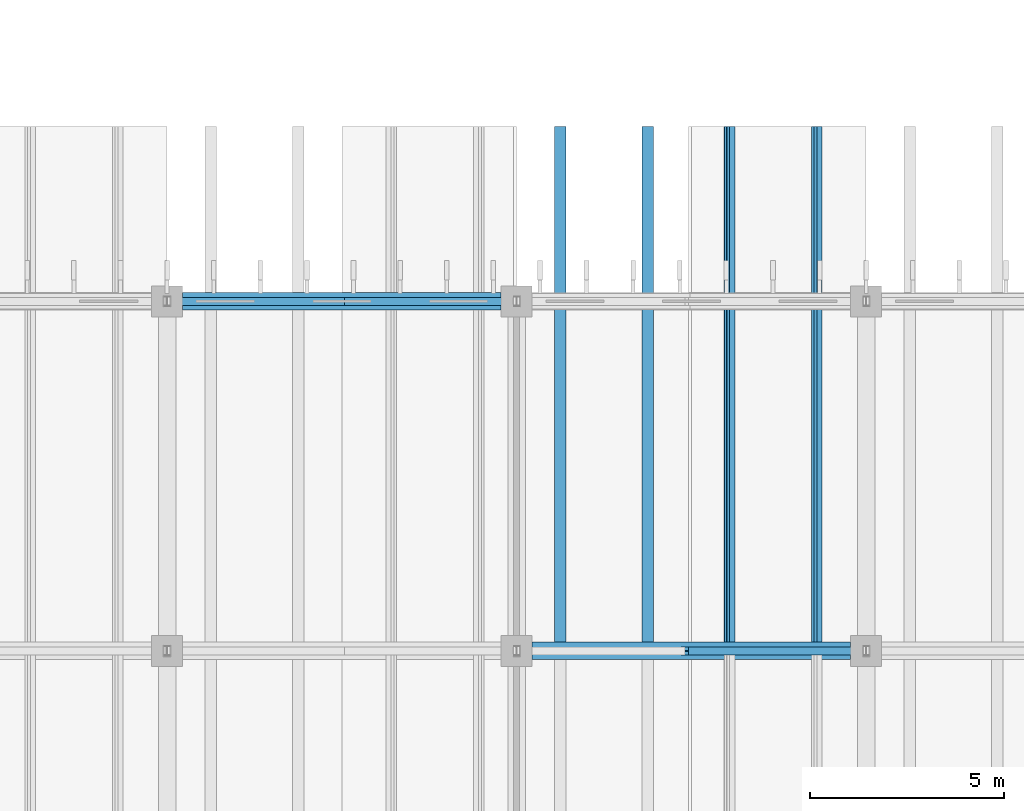
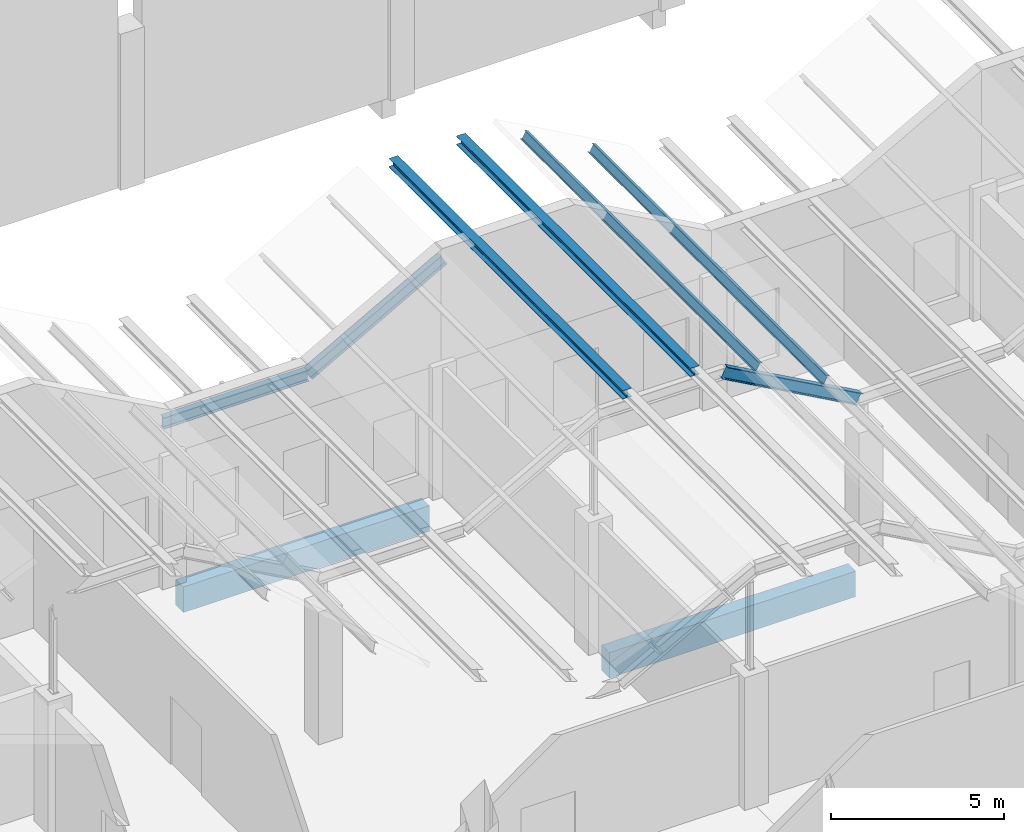
# One storey, part 66 of 437: 7 members, 2 beams.
"""IFC4 building model written with IfcOpenShell, lengths in metres."""

from ifc_helpers import new_model, si_unit, direction, frame, origin, origin_2d, place, context, subcontext, project, spatial, rectangle, i_section, extrude, material, material_profile, profile_set, type_object, element, save


model = new_model("IFC4")

# Units and contexts
model_context = context("Model", 3, precision=1e-05, world=origin(), true_north=direction((0.0, 1.0)))
body_context = subcontext(model_context, "Body", "Model", "MODEL_VIEW")
ifc_project = project(units=[si_unit("LENGTHUNIT", "METRE"), si_unit("AREAUNIT", "SQUARE_METRE"), si_unit("VOLUMEUNIT", "CUBIC_METRE"), si_unit("PLANEANGLEUNIT", "RADIAN"), si_unit("MASSUNIT", "GRAM", prefix="KILO")], contexts=[model_context])

# Site, building, storey
site_placement = place(None, origin())
site = spatial("IfcSite", under=ifc_project, at=site_placement, CompositionType="ELEMENT")
building_placement = place(site_placement, origin())
building = spatial("IfcBuilding", under=site, at=building_placement, Name="Opaline Strait Convention Centre", CompositionType="ELEMENT")
storey_placement = place(building_placement, frame((0.0, 0.0, 11.5)))
storey = spatial("IfcBuildingStorey", under=building, at=storey_placement, Name="L02", CompositionType="ELEMENT", Elevation=11.5)

# Members
ifc_material_1 = material(Name="Steel Q355B", Category="steel")
ifc_material_profile_1 = material_profile(ifc_material_1, i_section(OverallWidth=0.300048828125, OverallDepth=0.300048828125, WebThickness=0.010009765625, FlangeThickness=0.014892578125, FilletRadius=0.012939453125, at=origin_2d()), Name="HW 300x300x10x15")
ifc_profile_set_1 = profile_set([ifc_material_profile_1], Name="Steel Q355B")
member_type_1 = type_object("IfcMemberType", Name="Crest purlin HW 300x300x10x15", PredefinedType="PURLIN", material=ifc_profile_set_1)
for number, where, z_axis, x_axis, name in (
    (1, (46.125, 90.0, 8.449951171875), (0.0, 1.0, 0.0), (-1.0, 0.0, 0.0), "RU1 purlin facet 9 line 1"),
    (2, (48.375, 90.0, 8.449951171875), (0.0, 1.0, 0.0), (-1.0, 0.0, 0.0), "RU1 purlin facet 9 line 2"),
):
    element("IfcMember", number, at=place(storey_placement, frame(where, z_axis=z_axis, x_axis=x_axis)), inside=storey, type_object=member_type_1, Name=name, PredefinedType="PURLIN", context=body_context, shape_type="SweptSolid", body=[
        extrude(i_section(OverallWidth=0.300048828125, OverallDepth=0.300048828125, WebThickness=0.010009765625, FlangeThickness=0.014892578125, FilletRadius=0.012939453125, at=origin_2d()), origin(), (0.0, 0.0, 1.0), 13.5),
    ])

# Beams
ifc_material_2 = material(Name="Concrete C35", Category="concrete")
ifc_material_profile_2 = material_profile(ifc_material_2, rectangle(XDim=0.449951171875, YDim=0.89990234375, at=origin_2d()), Name="RC 450x900")
ifc_profile_set_2 = profile_set([ifc_material_profile_2], Name="Concrete C35")
beam_type = type_object("IfcBeamType", Name="RC beam 450x900 C35", PredefinedType="BEAM", material=ifc_profile_set_2)
for number, where, z_axis, x_axis, name in (
    (3, (45.39990234375, 90.0, -0.72998046875), (1.0, 0.0, 0.0), (0.0, 1.0, 0.0), "XB1 L02 45/90-54/90"),
    (4, (36.39990234375, 99.0, -0.72998046875), (1.0, 0.0, 0.0), (0.0, 1.0, 0.0), "XB1 L02 36/99-45/99"),
):
    element("IfcBeam", number, at=place(storey_placement, frame(where, z_axis=z_axis, x_axis=x_axis)), inside=storey, type_object=beam_type, Name=name, PredefinedType="BEAM", context=body_context, shape_type="SweptSolid", body=[
        extrude(rectangle(XDim=0.449951171875, YDim=0.89990234375, at=origin_2d()), origin(), (0.0, 0.0, 1.0), 8.2001953125),
    ])

# Members
ifc_material_profile_3 = material_profile(ifc_material_1, i_section(OverallWidth=0.14990234375, OverallDepth=0.300048828125, WebThickness=0.006591796875, FlangeThickness=0.009033203125, FilletRadius=0.012939453125, at=origin_2d()), Name="HN 300x150x6.5x9")
ifc_profile_set_3 = profile_set([ifc_material_profile_3], Name="Steel Q355B")
member_type_2 = type_object("IfcMemberType", Name="Roof purlin HN 300x150x6.5x9", PredefinedType="PURLIN", material=ifc_profile_set_3)
for number, where, z_axis, x_axis, name in (
    (5, (50.479248046875, 90.0, 7.86279296875), (0.0, 1.0, 0.0), (-0.874157310866, 0.0, 0.485642868639), "RU1 purlin facet 10 line 1"),
    (6, (52.729248046875, 90.0, 6.61279296875), (0.0, 1.0, 0.0), (-0.874157310866, 0.0, 0.485642868639), "RU1 purlin facet 10 line 2"),
):
    element("IfcMember", number, at=place(storey_placement, frame(where, z_axis=z_axis, x_axis=x_axis)), inside=storey, type_object=member_type_2, Name=name, PredefinedType="PURLIN", context=body_context, shape_type="SweptSolid", body=[
        extrude(i_section(OverallWidth=0.14990234375, OverallDepth=0.300048828125, WebThickness=0.006591796875, FlangeThickness=0.009033203125, FilletRadius=0.012939453125, at=origin_2d()), origin(), (0.0, 0.0, 1.0), 13.5),
    ])
ifc_material_profile_4 = material_profile(ifc_material_1, i_section(OverallWidth=0.199951171875, OverallDepth=0.39990234375, WebThickness=0.008056640625, FlangeThickness=0.012939453125, FilletRadius=0.012939453125, at=origin_2d()), Name="HN 400x200x8x13")
ifc_profile_set_4 = profile_set([ifc_material_profile_4], Name="Steel Q355B")
member_type_3 = type_object("IfcMemberType", Name="Roof rafter HN 400x200x8x13", PredefinedType="RAFTER", material=ifc_profile_set_4)
member_1_placement = place(storey_placement, frame((49.33154296875, 90.0, 8.10009765625), z_axis=(0.874157276122, 0.0, -0.485642931179), x_axis=(0.0, 1.0, 0.0)))
element("IfcMember", 7, at=member_1_placement, inside=storey, type_object=member_type_3, Name="RR1 rafter line 10 facet 11", PredefinedType="RAFTER", context=body_context, shape_type="SweptSolid", body=[
    extrude(i_section(OverallWidth=0.199951171875, OverallDepth=0.39990234375, WebThickness=0.008056640625, FlangeThickness=0.012939453125, FilletRadius=0.012939453125, at=origin_2d()), origin(), (0.0, 0.0, 1.0), 5.147705078125),
])
member_2_placement = place(storey_placement, frame((35.83154296875, 99.0, 5.60009765625), z_axis=(1.0, 0.0, 0.0), x_axis=(0.0, 1.0, 0.0)))
element("IfcMember", 8, at=member_2_placement, inside=storey, type_object=member_type_3, Name="RR1 rafter line 11 facet 8", PredefinedType="RAFTER", context=body_context, shape_type="SweptSolid", body=[
    extrude(i_section(OverallWidth=0.199951171875, OverallDepth=0.39990234375, WebThickness=0.008056640625, FlangeThickness=0.012939453125, FilletRadius=0.012939453125, at=origin_2d()), origin(), (0.0, 0.0, 1.0), 4.8369140625),
])
member_3_placement = place(storey_placement, frame((40.66845703125, 99.0, 5.60009765625), z_axis=(0.874157276122, 0.0, 0.485642931179), x_axis=(0.0, 1.0, 0.0)))
element("IfcMember", 9, at=member_3_placement, inside=storey, type_object=member_type_3, Name="RR1 rafter line 11 facet 9", PredefinedType="RAFTER", context=body_context, shape_type="SweptSolid", body=[
    extrude(i_section(OverallWidth=0.199951171875, OverallDepth=0.39990234375, WebThickness=0.008056640625, FlangeThickness=0.012939453125, FilletRadius=0.012939453125, at=origin_2d()), origin(), (0.0, 0.0, 1.0), 5.147705078125),
])

save(model, "model.ifc")
